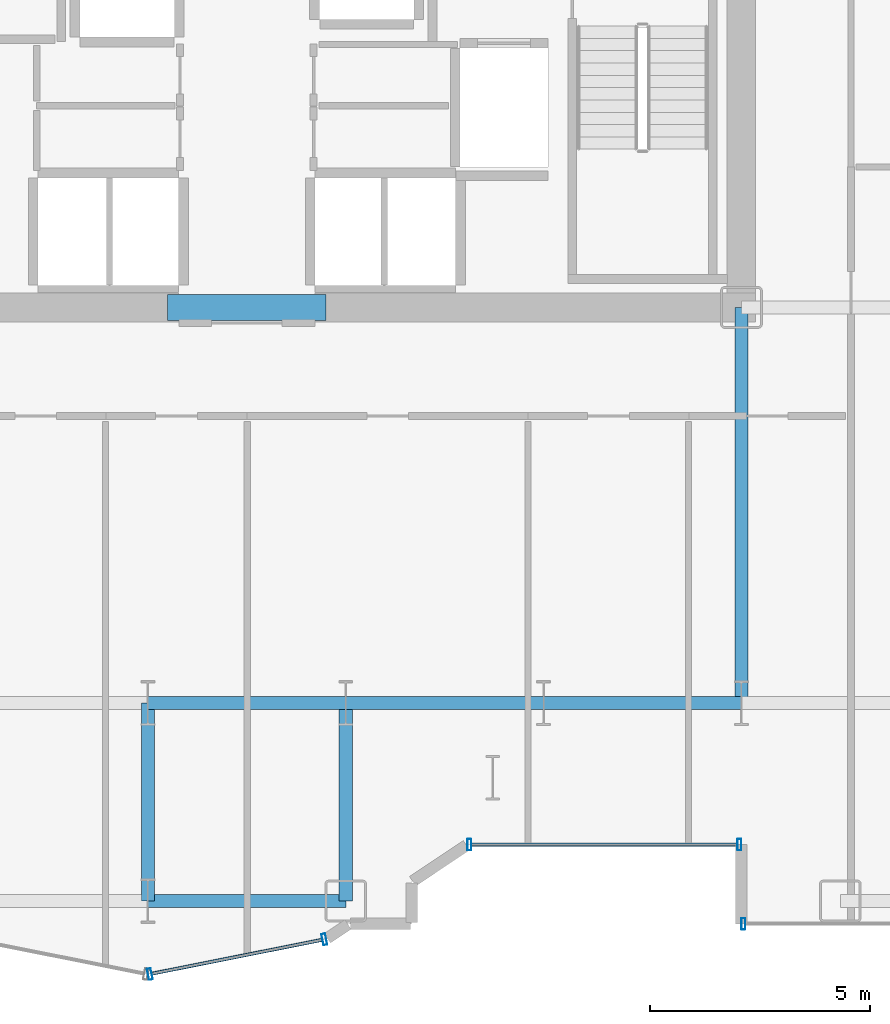
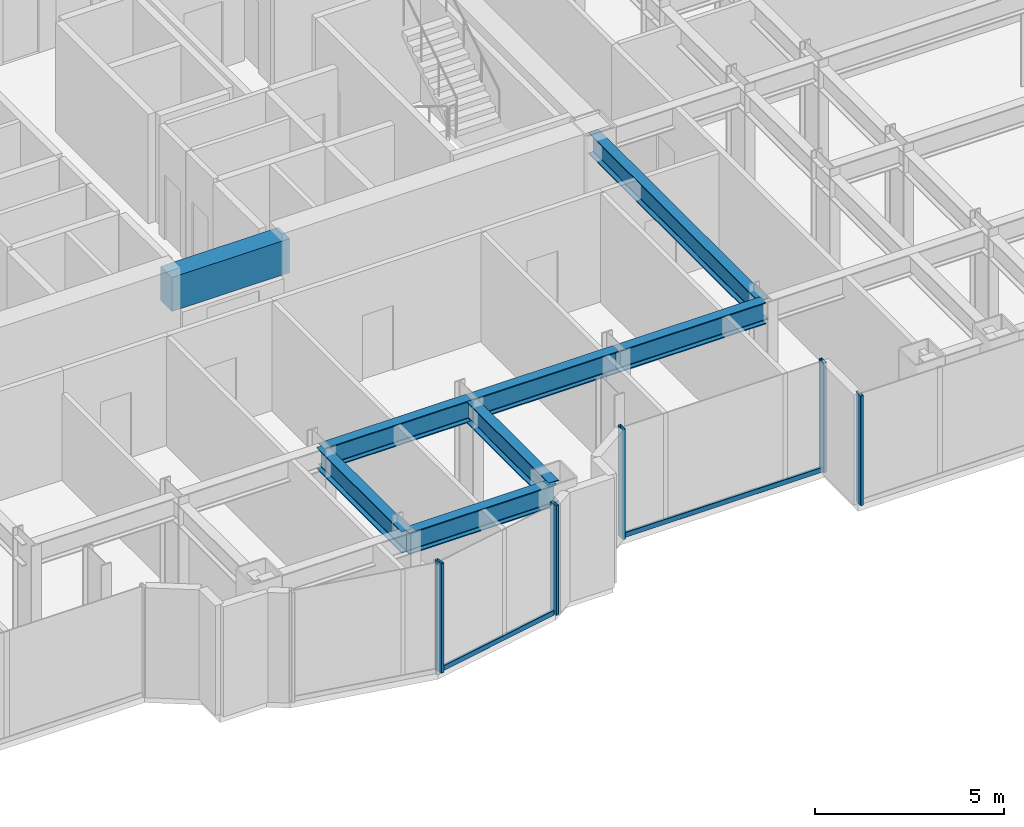
# One storey, part 6 of 25: 8 beams, 7 members, 3 elements without a shape of their own.
"""IFC4 building model written with IfcOpenShell, lengths in metres."""

from ifc_helpers import new_model, si_unit, direction, frame, origin, origin_2d, place, context, subcontext, project, spatial, rectangle, hollow_rectangle, i_section, extrude, source, transform, mapped, material, layer, layer_set, material_profile, profile_set, type_object, element, aggregate, save


model = new_model("IFC4")

# Units and contexts
model_context = context("Model", 3, precision=1e-05, world=origin(), true_north=direction((0.0, 1.0)))
body_context = subcontext(model_context, "Body", "Model", "MODEL_VIEW")
ifc_project = project(units=[si_unit("LENGTHUNIT", "METRE"), si_unit("AREAUNIT", "SQUARE_METRE"), si_unit("VOLUMEUNIT", "CUBIC_METRE"), si_unit("PLANEANGLEUNIT", "RADIAN"), si_unit("MASSUNIT", "GRAM", prefix="KILO")], contexts=[model_context])

# Site, building, storey
site_placement = place(None, origin())
site = spatial("IfcSite", under=ifc_project, at=site_placement, CompositionType="ELEMENT")
building_placement = place(site_placement, origin())
building = spatial("IfcBuilding", under=site, at=building_placement, Name="Nefas-Gora Pilgrimage Tower", CompositionType="ELEMENT")
storey_placement = place(building_placement, frame((0.0, 0.0, 71.0)))
storey = spatial("IfcBuildingStorey", under=building, at=storey_placement, Name="L16", CompositionType="ELEMENT", Elevation=71.0)

# Beams
ifc_material_1 = material(Name="Concrete C60/75", Category="concrete")
ifc_material_profile_1 = material_profile(ifc_material_1, rectangle(XDim=0.60009765625, YDim=1.10009765625, at=origin_2d()), Name="RC 600x1100")
ifc_profile_set_1 = profile_set([ifc_material_profile_1], Name="Concrete C60/75")
beam_type_1 = type_object("IfcBeamType", Name="BM-LIN-RC1100", PredefinedType="LINTEL", material=ifc_profile_set_1)
shared_shape_1 = source(origin(), body_context, "Body", "SweptSolid", [
    extrude(rectangle(XDim=0.60009765625, YDim=1.10009765625, at=origin_2d()), origin(), (0.0, 0.0, 1.0), 3.60009765625),
])
beam_1_placement = place(storey_placement, frame((-1.800048828125, -9.0, 3.0), z_axis=(1.0, 0.0, 0.0), x_axis=(0.0, 1.0, 0.0)))
element("IfcBeam", 1, at=beam_1_placement, inside=storey, type_object=beam_type_1, Name="L16 Core Coupling Lintel Beam S", PredefinedType="LINTEL", context=body_context, shape_type="MappedRepresentation", body=[
    mapped(shared_shape_1, transform((0.0, 0.0, 0.0), x_axis=(1.0, 0.0, 0.0), y_axis=(0.0, 1.0, 0.0), z_axis=(0.0, 0.0, 1.0), scale=1.0)),
])
ifc_material_2 = material(Name="Steel S355", Category="steel")
ifc_material_profile_2 = material_profile(ifc_material_2, i_section(OverallWidth=0.300048828125, OverallDepth=0.699951171875, WebThickness=0.01708984375, FlangeThickness=0.031982421875, FilletRadius=0.027099609375, at=origin_2d()), Name="HEB 700")
ifc_profile_set_2 = profile_set([ifc_material_profile_2], Name="Steel S355")
beam_type_2 = type_object("IfcBeamType", Name="BM-GIR-HEB700", PredefinedType="BEAM", material=ifc_profile_set_2)
shared_shape_2 = source(origin(), body_context, "Body", "SweptSolid", [
    extrude(i_section(OverallWidth=0.300048828125, OverallDepth=0.699951171875, WebThickness=0.01708984375, FlangeThickness=0.031982421875, FilletRadius=0.027099609375, at=origin_2d()), origin(), (0.0, 0.0, 1.0), 9.0),
])
beam_2_placement = place(storey_placement, frame((11.25, -18.0, 3.199951171875), z_axis=(0.0, 1.0, 0.0), x_axis=(-1.0, 0.0, 0.0)))
element("IfcBeam", 2, at=beam_2_placement, inside=storey, type_object=beam_type_2, Name="L16 G-02 beam", PredefinedType="BEAM", context=body_context, shape_type="MappedRepresentation", body=[
    mapped(shared_shape_2, transform((0.0, 0.0, 0.0), x_axis=(1.0, 0.0, 0.0), y_axis=(0.0, 1.0, 0.0), z_axis=(0.0, 0.0, 1.0), scale=1.0)),
])
shared_shape_3 = source(origin(), body_context, "Body", "SweptSolid", [
    extrude(i_section(OverallWidth=0.300048828125, OverallDepth=0.699951171875, WebThickness=0.01708984375, FlangeThickness=0.031982421875, FilletRadius=0.027099609375, at=origin_2d()), origin(), (0.0, 0.0, 1.0), 4.5),
])
for number, where, z_axis, x_axis, name in (
    (3, (-2.25, -22.5, 3.199951171875), (0.0, 1.0, 0.0), (-1.0, 0.0, 0.0), "L16 G-02 beam"),
    (4, (-2.25, -22.5, 3.199951171875), (1.0, 0.0, 0.0), (0.0, 1.0, 0.0), "L16 G-02 beam"),
    (5, (-2.25, -18.0, 3.199951171875), (1.0, 0.0, 0.0), (0.0, 1.0, 0.0), "L16 G-02 beam"),
    (6, (2.25, -22.5, 3.199951171875), (0.0, 1.0, 0.0), (-1.0, 0.0, 0.0), "L16 G-02 beam"),
    (7, (2.25, -18.0, 3.199951171875), (1.0, 0.0, 0.0), (0.0, 1.0, 0.0), "L16 G-02 beam"),
    (8, (6.75, -18.0, 3.199951171875), (1.0, 0.0, 0.0), (0.0, 1.0, 0.0), "L16 G-02 beam"),
):
    element("IfcBeam", number, at=place(storey_placement, frame(where, z_axis=z_axis, x_axis=x_axis)), inside=storey, type_object=beam_type_2, Name=name, PredefinedType="BEAM", context=body_context, shape_type="MappedRepresentation", body=[
        mapped(shared_shape_3, transform((0.0, 0.0, 0.0), x_axis=(1.0, 0.0, 0.0), y_axis=(0.0, 1.0, 0.0), z_axis=(0.0, 0.0, 1.0), scale=1.0)),
    ])

# Curtain wall, members
ifc_material_3 = material(Name="Dark ceramic-fritted solar-control aluminium-glass curtain wall", Category="aluminium")
ifc_layer_1 = layer(ifc_material_3, 0.219970703125)
ifc_layer_set_1 = layer_set([ifc_layer_1], Name="Dark ceramic-fritted solar-control aluminium-glass curtain wall")
curtain_wall_type_1 = type_object("IfcCurtainWallType", Name="CW-SYS-5", PredefinedType="NOTDEFINED", material=ifc_layer_set_1)
curtain_wall_1_placement = place(storey_placement, origin())
curtain_wall_1 = element("IfcCurtainWall", 9, at=curtain_wall_1_placement, inside=storey, type_object=curtain_wall_type_1, Name="L16 Unitised Curtain Wall CW5", PredefinedType="NOTDEFINED")
ifc_material_4 = material(Name="Anodised architectural aluminium", Category="aluminium")
ifc_material_profile_3 = material_profile(ifc_material_4, hollow_rectangle(XDim=0.090087890625, YDim=0.260009765625, WallThickness=0.006103515625, InnerFilletRadius=0.006103515625, OuterFilletRadius=0.011962890625, at=origin_2d()), Name="ALU MULLION 90x260")
ifc_profile_set_3 = profile_set([ifc_material_profile_3], Name="Anodised architectural aluminium")
member_type_1 = type_object("IfcMemberType", Name="CWM-MUL-5", PredefinedType="MULLION", material=ifc_profile_set_3)
shared_shape_4 = source(origin(), body_context, "Body", "SweptSolid", [
    extrude(hollow_rectangle(XDim=0.090087890625, YDim=0.260009765625, WallThickness=0.006103515625, InnerFilletRadius=0.006103515625, OuterFilletRadius=0.011962890625, at=origin_2d()), origin(), (0.0, 0.0, 1.0), 3.550048828125),
])
member_1_placement = place(storey_placement, frame((5.06298828125, -21.219970703125, 0.0), z_axis=(0.0, 0.0, 1.0), x_axis=(1.0, 0.0, 0.0)))
member_1 = element("IfcMember", 10, at=member_1_placement, type_object=member_type_1, Name="CW5 Mullion 1", PredefinedType="MULLION", context=body_context, shape_type="MappedRepresentation", body=[
    mapped(shared_shape_4, transform((0.0, 0.0, 0.0), x_axis=(1.0, 0.0, 0.0), y_axis=(0.0, 1.0, 0.0), z_axis=(0.0, 0.0, 1.0), scale=1.0)),
])
member_2_placement = place(storey_placement, frame((11.205078125, -21.219970703125, 0.0), z_axis=(0.0, 0.0, 1.0), x_axis=(1.0, 0.0, 0.0)))
member_2 = element("IfcMember", 11, at=member_2_placement, type_object=member_type_1, Name="CW5 Mullion 2", PredefinedType="MULLION", context=body_context, shape_type="MappedRepresentation", body=[
    mapped(shared_shape_4, transform((0.0, 0.0, 0.0), x_axis=(1.0, 0.0, 0.0), y_axis=(0.0, 1.0, 0.0), z_axis=(0.0, 0.0, 1.0), scale=1.0)),
])

curtain_wall_2_placement = place(storey_placement, origin())
curtain_wall_2 = element("IfcCurtainWall", 12, at=curtain_wall_2_placement, inside=storey, type_object=curtain_wall_type_1, Name="L16 Unitised Curtain Wall CW5", PredefinedType="NOTDEFINED")
member_3_placement = place(storey_placement, frame((-2.205810546875, -24.16357421875, 0.0), z_axis=(0.0, 0.0, 1.0), x_axis=(0.980782896852, 0.195102304554, 0.0)))
member_3 = element("IfcMember", 13, at=member_3_placement, type_object=member_type_1, Name="CW5 Mullion 1", PredefinedType="MULLION", context=body_context, shape_type="MappedRepresentation", body=[
    mapped(shared_shape_4, transform((0.0, 0.0, 0.0), x_axis=(1.0, 0.0, 0.0), y_axis=(0.0, 1.0, 0.0), z_axis=(0.0, 0.0, 1.0), scale=1.0)),
])
member_4_placement = place(storey_placement, frame((1.76318359375, -23.3740234375, 0.0), z_axis=(0.0, 0.0, 1.0), x_axis=(0.980782896852, 0.195102304554, 0.0)))
member_4 = element("IfcMember", 14, at=member_4_placement, type_object=member_type_1, Name="CW5 Mullion 2", PredefinedType="MULLION", context=body_context, shape_type="MappedRepresentation", body=[
    mapped(shared_shape_4, transform((0.0, 0.0, 0.0), x_axis=(1.0, 0.0, 0.0), y_axis=(0.0, 1.0, 0.0), z_axis=(0.0, 0.0, 1.0), scale=1.0)),
])

# Member
ifc_material_profile_4 = material_profile(ifc_material_4, hollow_rectangle(XDim=0.080078125, YDim=0.159912109375, WallThickness=0.00439453125, InnerFilletRadius=0.00439453125, OuterFilletRadius=0.009033203125, at=origin_2d()), Name="ALU TRANSOM 80x160")
ifc_profile_set_4 = profile_set([ifc_material_profile_4], Name="Anodised architectural aluminium")
member_type_2 = type_object("IfcMemberType", Name="CWM-TRN-5", PredefinedType="USERDEFINED", material=ifc_profile_set_4)
shared_shape_5 = source(origin(), body_context, "Body", "SweptSolid", [
    extrude(hollow_rectangle(XDim=0.080078125, YDim=0.159912109375, WallThickness=0.00439453125, InnerFilletRadius=0.00439453125, OuterFilletRadius=0.009033203125, at=origin_2d()), origin(), (0.0, 0.0, 1.0), 6.052001953125),
])
member_5_placement = place(storey_placement, frame((5.10791015625, -21.219970703125, 0.050048828125), z_axis=(1.0, 0.0, 0.0), x_axis=(0.0, 1.0, 0.0)))
member_5 = element("IfcMember", 15, at=member_5_placement, type_object=member_type_2, Name="CW5 Spandrel Transom", ObjectType="TRANSOM", PredefinedType="USERDEFINED", context=body_context, shape_type="MappedRepresentation", body=[
    mapped(shared_shape_5, transform((0.0, 0.0, 0.0), x_axis=(1.0, 0.0, 0.0), y_axis=(0.0, 1.0, 0.0), z_axis=(0.0, 0.0, 1.0), scale=1.0)),
])

aggregate(curtain_wall_1, [member_1, member_2, member_5])

# Curtain wall, member
ifc_layer_2 = layer(ifc_material_3, 0.219970703125)
ifc_layer_set_2 = layer_set([ifc_layer_2], Name="Dark ceramic-fritted solar-control aluminium-glass curtain wall")
curtain_wall_type_2 = type_object("IfcCurtainWallType", Name="CW-SYS-2", PredefinedType="NOTDEFINED", material=ifc_layer_set_2)
curtain_wall_3_placement = place(storey_placement, origin())
curtain_wall_3 = element("IfcCurtainWall", 16, at=curtain_wall_3_placement, inside=storey, type_object=curtain_wall_type_2, Name="L16 Unitised Curtain Wall CW2", PredefinedType="NOTDEFINED")
ifc_material_profile_5 = material_profile(ifc_material_4, hollow_rectangle(XDim=0.090087890625, YDim=0.260009765625, WallThickness=0.006103515625, InnerFilletRadius=0.006103515625, OuterFilletRadius=0.011962890625, at=origin_2d()), Name="ALU MULLION 90x260")
ifc_profile_set_5 = profile_set([ifc_material_profile_5], Name="Anodised architectural aluminium")
member_type_3 = type_object("IfcMemberType", Name="CWM-MUL-2", PredefinedType="MULLION", material=ifc_profile_set_5)
shared_shape_6 = source(origin(), body_context, "Body", "SweptSolid", [
    extrude(hollow_rectangle(XDim=0.090087890625, YDim=0.260009765625, WallThickness=0.006103515625, InnerFilletRadius=0.006103515625, OuterFilletRadius=0.011962890625, at=origin_2d()), origin(), (0.0, 0.0, 1.0), 3.550048828125),
])
member_6_placement = place(storey_placement, frame((11.294921875, -23.02001953125, 0.0), z_axis=(0.0, 0.0, 1.0), x_axis=(1.0, 0.0, 0.0)))
member_6 = element("IfcMember", 17, at=member_6_placement, type_object=member_type_3, Name="CW2 Mullion 1", PredefinedType="MULLION", context=body_context, shape_type="MappedRepresentation", body=[
    mapped(shared_shape_6, transform((0.0, 0.0, 0.0), x_axis=(1.0, 0.0, 0.0), y_axis=(0.0, 1.0, 0.0), z_axis=(0.0, 0.0, 1.0), scale=1.0)),
])
aggregate(curtain_wall_3, [member_6])

# Member
shared_shape_7 = source(origin(), body_context, "Body", "SweptSolid", [
    extrude(hollow_rectangle(XDim=0.080078125, YDim=0.159912109375, WallThickness=0.00439453125, InnerFilletRadius=0.00439453125, OuterFilletRadius=0.009033203125, at=origin_2d()), origin(), (0.0, 0.0, 1.0), 3.95654296875),
])
member_7_placement = place(storey_placement, frame((-2.16162109375, -24.15478515625, 0.050048828125), z_axis=(0.980781880918, 0.195107411605, 0.0), x_axis=(-0.195107411605, 0.980781880918, 0.0)))
member_7 = element("IfcMember", 18, at=member_7_placement, type_object=member_type_2, Name="CW5 Spandrel Transom", ObjectType="TRANSOM", PredefinedType="USERDEFINED", context=body_context, shape_type="MappedRepresentation", body=[
    mapped(shared_shape_7, transform((0.0, 0.0, 0.0), x_axis=(1.0, 0.0, 0.0), y_axis=(0.0, 1.0, 0.0), z_axis=(0.0, 0.0, 1.0), scale=1.0)),
])

aggregate(curtain_wall_2, [member_3, member_4, member_7])

save(model, "model.ifc")
